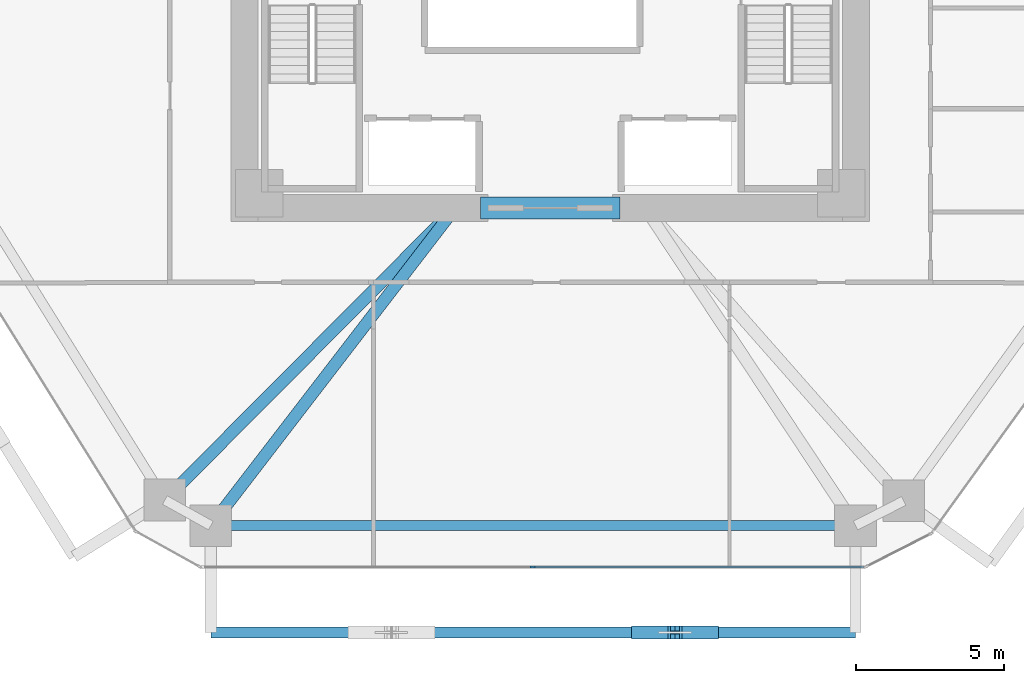
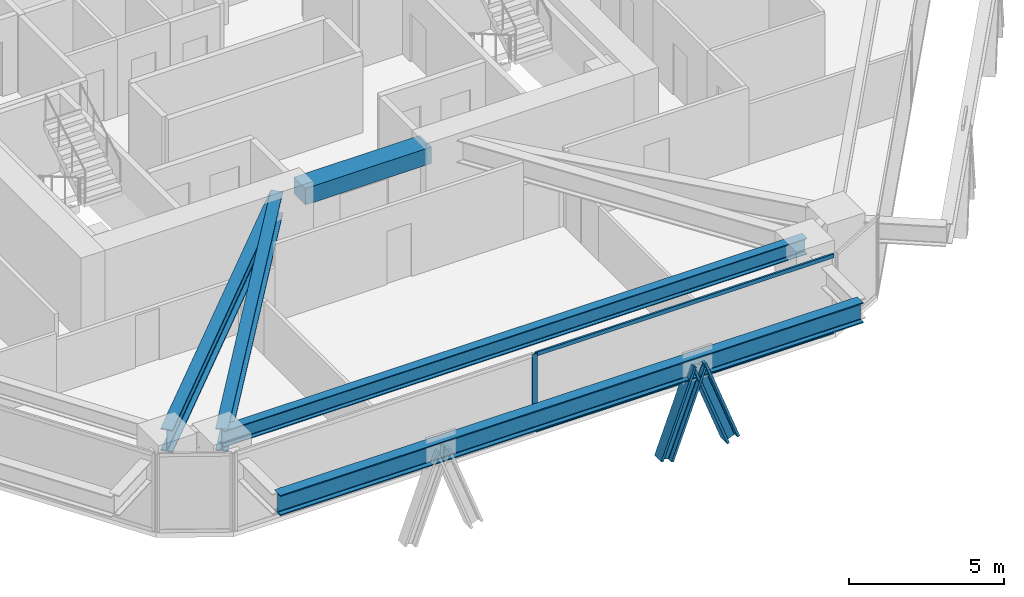
# One storey, part 3 of 16: 5 beams, 5 members, 1 element without a shape of its own.
"""IFC4 building model written with IfcOpenShell, lengths in metres."""

import ifcopenshell
import ifcopenshell.guid

model = None  # the IFC model being written
_history = None  # IfcOwnerHistory: only IFC2X3 demands one
_inside = {}  # id of a spatial element -> (the spatial element, [elements in it])
_under = {}  # id of a project, library or spatial element -> (it, [spatial elements below it])
_declared = {}  # id of a project -> (the project, [libraries it declares])
_typed = {}  # id of a type object -> (the type object, [elements of that type])
_made_of = {}  # id of a material, layer set ... -> (it, [elements and type objects made of it])


def new_model(schema):
    """Start an empty IFC model of exactly this schema.

    Asked for "IFC4X3", IfcOpenShell would pick the latest addendum, in which some entities
    have other attributes; the version numbers below select the first issue.
    IFC2X3 requires an IfcOwnerHistory on every rooted entity: one is made here for all.
    """
    global model, _history
    if schema == "IFC4X3":
        model = ifcopenshell.file(schema_version=(4, 3, 0, 0))
    else:
        model = ifcopenshell.file(schema=schema)
    _inside.clear()
    _under.clear()
    _declared.clear()
    _typed.clear()
    _made_of.clear()
    _history = None
    if model.schema == "IFC2X3":
        org = make("IfcOrganization", Name="unknown")
        user = make(
            "IfcPersonAndOrganization",
            ThePerson=make("IfcPerson", FamilyName="unknown"),
            TheOrganization=org,
        )
        app = make(
            "IfcApplication",
            ApplicationDeveloper=org,
            Version="unknown",
            ApplicationFullName="unknown",
            ApplicationIdentifier="unknown",
        )
        _history = make(
            "IfcOwnerHistory",
            OwningUser=user,
            OwningApplication=app,
            ChangeAction="ADDED",
            CreationDate=0,
        )
    return model


def make(cls, **values):
    """One entity of the class cls with the attributes given. An attribute that is None is left unset."""
    return model.create_entity(
        cls, **{name: value for name, value in values.items() if value is not None}
    )


def rooted(cls, **values):
    """An entity with a GlobalId (a new one), such as an element, a storey or a relation."""
    return make(cls, GlobalId=ifcopenshell.guid.new(), OwnerHistory=_history, **values)


def si_unit(unit_type, name, prefix=None):
    """IfcSIUnit, for example si_unit("LENGTHUNIT", "METRE", prefix="MILLI")."""
    return make("IfcSIUnit", UnitType=unit_type, Prefix=prefix, Name=name)


def assignment(units):
    """IfcUnitAssignment: the units of a project."""
    return None if units is None else make("IfcUnitAssignment", Units=units)


def point(xyz):
    """IfcCartesianPoint."""
    return None if xyz is None else make("IfcCartesianPoint", Coordinates=xyz)


def direction(xyz):
    """IfcDirection."""
    return None if xyz is None else make("IfcDirection", DirectionRatios=xyz)


def frame(location, z_axis=None, x_axis=None):
    """IfcAxis2Placement3D, a coordinate frame: its origin and axes. An axis left out is left unset."""
    return make(
        "IfcAxis2Placement3D",
        Location=point(location),
        Axis=direction(z_axis),
        RefDirection=direction(x_axis),
    )


def frame_2d(location, x_axis=None):
    """IfcAxis2Placement2D, a coordinate frame in the plane: its origin and x axis."""
    return make(
        "IfcAxis2Placement2D", Location=point(location), RefDirection=direction(x_axis)
    )


def origin():
    """The frame at (0, 0, 0) with its axes left unset."""
    return frame((0.0, 0.0, 0.0))


def origin_2d():
    """The frame at (0, 0) in the plane with its x axis left unset."""
    return frame_2d((0.0, 0.0))


def place(relative_to, where):
    """IfcLocalPlacement: puts the frame where relative to a parent placement (None: the world)."""
    return make(
        "IfcLocalPlacement", PlacementRelTo=relative_to, RelativePlacement=where
    )


def context(
    kind, dimensions, precision=None, world=None, true_north=None, identifier=None
):
    """IfcGeometricRepresentationContext, for example the 3D "Model" context."""
    return make(
        "IfcGeometricRepresentationContext",
        ContextIdentifier=identifier,
        ContextType=kind,
        CoordinateSpaceDimension=dimensions,
        Precision=precision,
        WorldCoordinateSystem=world,
        TrueNorth=true_north,
    )


def subcontext(parent, identifier, kind, view, scale=None):
    """IfcGeometricRepresentationSubContext, for example "Body" below "Model"."""
    return make(
        "IfcGeometricRepresentationSubContext",
        ContextIdentifier=identifier,
        ContextType=kind,
        ParentContext=parent,
        TargetScale=scale,
        TargetView=view,
    )


def project(units=None, contexts=None):
    """IfcProject with its units and contexts."""
    return rooted(
        "IfcProject",
        Name="project",
        RepresentationContexts=contexts,
        UnitsInContext=assignment(units),
    )


def spatial(cls, under=None, at=None, **own):
    """A site, building, storey or space (cls), placed at a placement, below another one or the project."""
    s = rooted(cls, ObjectPlacement=at, **own)
    if under is not None:
        _under.setdefault(under.id(), (under, []))[1].append(s)
    return s


def profile(cls, at=None, kind="AREA", **sizes):
    """A parametric profile (cls). Its sizes go by their IFC names, for example OverallWidth=200.0."""
    return make(cls, ProfileType=kind, Position=at, **sizes)


def rectangle(**sizes):
    """IfcRectangleProfileDef."""
    return profile("IfcRectangleProfileDef", **sizes)


def i_section(**sizes):
    """IfcIShapeProfileDef."""
    return profile("IfcIShapeProfileDef", **sizes)


def extrude(swept, where, along, depth):
    """IfcExtrudedAreaSolid: the profile swept, set in the frame where, extruded along a direction by depth."""
    return make(
        "IfcExtrudedAreaSolid",
        SweptArea=swept,
        Position=where,
        ExtrudedDirection=direction(along),
        Depth=depth,
    )


def shape(context_of_items, identifier, shape_type, items):
    """IfcShapeRepresentation: the items that make up one representation, for example the "Body"."""
    return make(
        "IfcShapeRepresentation",
        ContextOfItems=context_of_items,
        RepresentationIdentifier=identifier,
        RepresentationType=shape_type,
        Items=items,
    )


def source(mapping_origin, context_of_items, identifier, shape_type, items):
    """IfcRepresentationMap: a shape defined once, which mapped items show again and again."""
    return make(
        "IfcRepresentationMap",
        MappingOrigin=mapping_origin,
        MappedRepresentation=shape(context_of_items, identifier, shape_type, items),
    )


def transform(
    local_origin,
    x_axis=None,
    y_axis=None,
    z_axis=None,
    scale=None,
    scale2=None,
    scale3=None,
    uniform=True,
):
    """IfcCartesianTransformationOperator3D, or its non-uniform kind. x_axis, y_axis, z_axis: its Axis1, 2, 3."""
    if uniform:
        return make(
            "IfcCartesianTransformationOperator3D",
            Axis1=direction(x_axis),
            Axis2=direction(y_axis),
            LocalOrigin=point(local_origin),
            Scale=scale,
            Axis3=direction(z_axis),
        )
    return make(
        "IfcCartesianTransformationOperator3DnonUniform",
        Axis1=direction(x_axis),
        Axis2=direction(y_axis),
        LocalOrigin=point(local_origin),
        Scale=scale,
        Axis3=direction(z_axis),
        Scale2=scale2,
        Scale3=scale3,
    )


def mapped(mapping_source, mapping_target):
    """IfcMappedItem: shows the shape of a source again, moved by a transform."""
    return make(
        "IfcMappedItem", MappingSource=mapping_source, MappingTarget=mapping_target
    )


def material(Name=None, Category=None):
    """IfcMaterial."""
    return make("IfcMaterial", Name=Name, Category=Category)


def layer(
    of_material, thickness, ventilated=None, Name=None, Category=None, Priority=None
):
    """IfcMaterialLayer: one layer of a wall or slab, of a material (None: an air gap)."""
    return make(
        "IfcMaterialLayer",
        Material=of_material,
        LayerThickness=thickness,
        IsVentilated=ventilated,
        Name=Name,
        Category=Category,
        Priority=Priority,
    )


def layer_set(layers, Name=None):
    """IfcMaterialLayerSet."""
    return make("IfcMaterialLayerSet", MaterialLayers=layers, LayerSetName=Name)


def material_profile(
    of_material, cross_section, Name=None, Category=None, Priority=None
):
    """IfcMaterialProfile: a cross section and its material."""
    return make(
        "IfcMaterialProfile",
        Name=Name,
        Material=of_material,
        Profile=cross_section,
        Priority=Priority,
        Category=Category,
    )


def profile_set(profiles, Name=None, composite=None):
    """IfcMaterialProfileSet."""
    return make(
        "IfcMaterialProfileSet",
        Name=Name,
        MaterialProfiles=profiles,
        CompositeProfile=composite,
    )


def made_of(thing, what):
    """Note that an element or type object is made of a material, layer set ...; save() writes the relation."""
    if what is not None:
        _made_of.setdefault(what.id(), (what, []))[1].append(thing)
    return thing


def type_object(cls, material=None, **own):
    """A type object (cls), such as IfcWallType, which elements share."""
    return made_of(rooted(cls, **own), material)


def type_shapes(of_type, sources):
    """Give a type object the sources (RepresentationMaps) that its elements show as mapped items."""
    of_type.RepresentationMaps = sources


def element(
    cls,
    number,
    at=None,
    inside=None,
    cuts=None,
    type_object=None,
    material=None,
    context=None,
    identifier="Body",
    shape_type=None,
    held_by="IfcProductDefinitionShape",
    body=None,
    shapes=None,
    **own,
):
    """One element of the class cls, such as IfcWall. Its Tag is "e" and its number.

    at: its placement. inside: the storey or other place that contains it. cuts: it is an
    opening in that element (IfcRelVoidsElement). A single representation is given by context,
    identifier, shape_type and body (its items); several are given by shapes. held_by: the class
    of the entity that holds the representations. save() writes the other relations.
    """
    e = rooted(cls, Tag="e%d" % number, ObjectPlacement=at, **own)
    if body is not None:
        shapes = [shape(context, identifier, shape_type, body)]
    if shapes is not None:
        e.Representation = make(held_by, Representations=shapes)
    if inside is not None:
        _inside.setdefault(inside.id(), (inside, []))[1].append(e)
    if cuts is not None:
        rooted(
            "IfcRelVoidsElement", RelatingBuildingElement=cuts, RelatedOpeningElement=e
        )
    if type_object is not None:
        _typed.setdefault(type_object.id(), (type_object, []))[1].append(e)
    return made_of(e, material)


def aggregate(whole, parts):
    """IfcRelAggregates: a whole, such as a stair, and the parts it consists of."""
    return rooted("IfcRelAggregates", RelatingObject=whole, RelatedObjects=parts)


def save(model, path):
    """Write the relations noted so far, then the file.

    IfcRelAggregates (storeys below a building ...), IfcRelContainedInSpatialStructure (elements
    in a storey), IfcRelDefinesByType, IfcRelAssociatesMaterial and IfcRelDeclares: one each for
    every whole, place, type object, material and project.
    """
    for whole, parts in _under.values():
        aggregate(whole, parts)
    for where, things in _inside.values():
        rooted(
            "IfcRelContainedInSpatialStructure",
            RelatedElements=things,
            RelatingStructure=where,
        )
    for kind, things in _typed.values():
        rooted("IfcRelDefinesByType", RelatedObjects=things, RelatingType=kind)
    for what, things in _made_of.values():
        rooted("IfcRelAssociatesMaterial", RelatedObjects=things, RelatingMaterial=what)
    for by, libraries in _declared.values():
        rooted("IfcRelDeclares", RelatingContext=by, RelatedDefinitions=libraries)
    model.write(path)


model = new_model("IFC4")

# Units and contexts
model_context = context("Model", 3, precision=1e-05, world=origin(), true_north=direction((0.0, 1.0)))
body_context = subcontext(model_context, "Body", "Model", "MODEL_VIEW")
ifc_project = project(units=[si_unit("LENGTHUNIT", "METRE"), si_unit("AREAUNIT", "SQUARE_METRE"), si_unit("VOLUMEUNIT", "CUBIC_METRE"), si_unit("PLANEANGLEUNIT", "RADIAN"), si_unit("MASSUNIT", "GRAM", prefix="KILO")], contexts=[model_context])

# Site, building, storey
site_placement = place(None, origin())
site = spatial("IfcSite", under=ifc_project, at=site_placement, CompositionType="ELEMENT")
building_placement = place(site_placement, origin())
building = spatial("IfcBuilding", under=site, at=building_placement, Name="Durnholm Broadcast Tower", CompositionType="ELEMENT")
storey_placement = place(building_placement, frame((0.0, 0.0, 65.39990234375)))
storey = spatial("IfcBuildingStorey", under=building, at=storey_placement, Name="L16", CompositionType="ELEMENT", Elevation=65.39990234375)

# Beams
ifc_material_1 = material(Name="Concrete C70/85", Category="concrete")
ifc_material_profile_1 = material_profile(ifc_material_1, rectangle(XDim=0.75, YDim=0.64990234375, at=origin_2d()), Name="RC750X650")
ifc_profile_set_1 = profile_set([ifc_material_profile_1], Name="Concrete C70/85")
beam_type_1 = type_object("IfcBeamType", Name="BM-CB-RC650", PredefinedType="LINTEL", material=ifc_profile_set_1)
shared_shape_1 = source(origin(), body_context, "Body", "SweptSolid", [
    extrude(rectangle(XDim=0.75, YDim=0.64990234375, at=origin_2d()), origin(), (0.0, 0.0, 1.0), 4.7001953125),
])
type_shapes(beam_type_1, [shared_shape_1])
beam_1_placement = place(storey_placement, frame((-2.35009765625, -8.300048828125, 2.72998046875), z_axis=(1.0, 0.0, 0.0), x_axis=(0.0, 1.0, 0.0)))
element("IfcBeam", 1, at=beam_1_placement, inside=storey, type_object=beam_type_1, Name="L16 south core coupling lintel beam CB-S", PredefinedType="LINTEL", context=body_context, shape_type="MappedRepresentation", body=[
    mapped(shared_shape_1, transform((0.0, 0.0, 0.0), x_axis=(1.0, 0.0, 0.0), y_axis=(0.0, 1.0, 0.0), z_axis=(0.0, 0.0, 1.0), scale=1.0)),
])
ifc_material_2 = material(Name="Steel ASTM A992 Grade 50", Category="steel")
ifc_material_profile_2 = material_profile(ifc_material_2, i_section(OverallWidth=0.3291015625, OverallDepth=0.635009765625, WebThickness=0.017822265625, FlangeThickness=0.031005859375, FilletRadius=0.02783203125, at=origin_2d()), Name="W24X162")
ifc_profile_set_2 = profile_set([ifc_material_profile_2], Name="Steel ASTM A992 Grade 50")
beam_type_2 = type_object("IfcBeamType", Name="STL-SP-W24X162", PredefinedType="SPANDREL", material=ifc_profile_set_2)
shared_shape_2 = source(origin(), body_context, "Body", "SweptSolid", [
    extrude(i_section(OverallWidth=0.3291015625, OverallDepth=0.635009765625, WebThickness=0.017822265625, FlangeThickness=0.031005859375, FilletRadius=0.02783203125, at=origin_2d()), origin(), (0.0, 0.0, 1.0), 21.7138671875),
])
type_shapes(beam_type_2, [shared_shape_2])
beam_2_placement = place(storey_placement, frame((10.28271484375, -19.0, 2.7275390625), z_axis=(-1.0, 0.0, 0.0), x_axis=(0.0, -1.0, 0.0)))
element("IfcBeam", 2, at=beam_2_placement, inside=storey, type_object=beam_type_2, Name="L16 perimeter spandrel girder 11", PredefinedType="SPANDREL", context=body_context, shape_type="MappedRepresentation", body=[
    mapped(shared_shape_2, transform((0.0, 0.0, 0.0), x_axis=(1.0, 0.0, 0.0), y_axis=(0.0, 1.0, 0.0), z_axis=(0.0, 0.0, 1.0), scale=1.0)),
])
ifc_material_profile_3 = material_profile(ifc_material_2, i_section(OverallWidth=0.404052734375, OverallDepth=0.885009765625, WebThickness=0.0244140625, FlangeThickness=0.0439453125, FilletRadius=0.03564453125, at=origin_2d()), Name="W33X291")
ifc_profile_set_3 = profile_set([ifc_material_profile_3], Name="Steel ASTM A992 Grade 50")
beam_type_3 = type_object("IfcBeamType", Name="STL-GR-W33X291", PredefinedType="USERDEFINED", material=ifc_profile_set_3)
shared_shape_3 = source(origin(), body_context, "Body", "SweptSolid", [
    extrude(i_section(OverallWidth=0.404052734375, OverallDepth=0.885009765625, WebThickness=0.0244140625, FlangeThickness=0.0439453125, FilletRadius=0.03564453125, at=origin_2d()), origin(), (0.0, 0.0, 1.0), 13.874267578125),
])
beam_3_placement = place(storey_placement, frame((-3.199951171875, -8.300048828125, 2.6025390625), z_axis=(-0.705097917174, -0.709109954237, 0.0), x_axis=(0.709109954237, -0.705097917174, 0.0)))
element("IfcBeam", 3, at=beam_3_placement, inside=storey, type_object=beam_type_3, Name="L16 radial primary floor girder 01", ObjectType="GIRDER", PredefinedType="USERDEFINED", context=body_context, shape_type="MappedRepresentation", body=[
    mapped(shared_shape_3, transform((0.0, 0.0, 0.0), x_axis=(1.0, 0.0, 0.0), y_axis=(0.0, 1.0, 0.0), z_axis=(0.0, 0.0, 1.0), scale=1.0)),
])
shared_shape_4 = source(origin(), body_context, "Body", "SweptSolid", [
    extrude(i_section(OverallWidth=0.404052734375, OverallDepth=0.885009765625, WebThickness=0.0244140625, FlangeThickness=0.0439453125, FilletRadius=0.03564453125, at=origin_2d()), origin(), (0.0, 0.0, 1.0), 13.499755859375),
])
type_shapes(beam_type_3, [shared_shape_3, shared_shape_4])
beam_4_placement = place(storey_placement, frame((-3.199951171875, -8.300048828125, 2.6025390625), z_axis=(-0.609732610412, -0.79260718127, 0.0), x_axis=(0.79260718127, -0.609732610412, 0.0)))
element("IfcBeam", 4, at=beam_4_placement, inside=storey, type_object=beam_type_3, Name="L16 radial primary floor girder 12", ObjectType="GIRDER", PredefinedType="USERDEFINED", context=body_context, shape_type="MappedRepresentation", body=[
    mapped(shared_shape_4, transform((0.0, 0.0, 0.0), x_axis=(1.0, 0.0, 0.0), y_axis=(0.0, 1.0, 0.0), z_axis=(0.0, 0.0, 1.0), scale=1.0)),
])
ifc_material_profile_4 = material_profile(ifc_material_2, i_section(OverallWidth=0.385009765625, OverallDepth=0.802978515625, WebThickness=0.023681640625, FlangeThickness=0.0419921875, FilletRadius=0.032958984375, at=origin_2d()), Name="W30X261")
ifc_profile_set_4 = profile_set([ifc_material_profile_4], Name="Steel ASTM A992 Grade 50")
beam_type_4 = type_object("IfcBeamType", Name="BM-EXO-TIE", PredefinedType="USERDEFINED", material=ifc_profile_set_4)
shared_shape_5 = source(origin(), body_context, "Body", "SweptSolid", [
    extrude(i_section(OverallWidth=0.385009765625, OverallDepth=0.802978515625, WebThickness=0.023681640625, FlangeThickness=0.0419921875, FilletRadius=0.032958984375, at=origin_2d()), origin(), (0.0, 0.0, 1.0), 21.7138671875),
])
type_shapes(beam_type_4, [shared_shape_5])
beam_5_placement = place(storey_placement, frame((-11.43115234375, -22.60009765625, 2.30859375), z_axis=(1.0, 0.0, 0.0), x_axis=(0.0, 1.0, 0.0)))
element("IfcBeam", 5, at=beam_5_placement, inside=storey, type_object=beam_type_4, Name="L16 exoskeleton collector spandrel F1", PredefinedType="SPANDREL", context=body_context, shape_type="MappedRepresentation", body=[
    mapped(shared_shape_5, transform((0.0, 0.0, 0.0), x_axis=(1.0, 0.0, 0.0), y_axis=(0.0, 1.0, 0.0), z_axis=(0.0, 0.0, 1.0), scale=1.0)),
])

# Members
ifc_material_3 = material(Name="Steel ASTM A913 Grade 65", Category="steel")
ifc_material_profile_5 = material_profile(ifc_material_3, i_section(OverallWidth=0.43212890625, OverallDepth=0.497802734375, WebThickness=0.0556640625, FlangeThickness=0.0888671875, FilletRadius=0.030517578125, at=origin_2d()), Name="W14X500")
ifc_profile_set_5 = profile_set([ifc_material_profile_5], Name="Steel ASTM A913 Grade 65")
member_type_1 = type_object("IfcMemberType", Name="STL-DG-W14X500", PredefinedType="BRACE", material=ifc_profile_set_5)
shared_shape_6 = source(origin(), body_context, "Body", "SweptSolid", [
    extrude(i_section(OverallWidth=0.43212890625, OverallDepth=0.497802734375, WebThickness=0.0556640625, FlangeThickness=0.0888671875, FilletRadius=0.030517578125, at=origin_2d()), origin(), (0.0, 0.0, 1.0), 3.52294921875),
])
type_shapes(member_type_1, [shared_shape_6])
for number, where, z_axis, x_axis, name in (
    (6, (2.968994140625, -22.60009765625, -0.9912109375), (0.350242321485, 0.0, 0.93665912489), (0.0, 1.0, 0.0), "L16 stand-off diagrid brace F1.D2.1"),
    (7, (5.436767578125, -22.60009765625, -0.9912109375), (-0.350242321485, 0.0, 0.93665912489), (0.0, -1.0, 0.0), "L16 stand-off diagrid brace F1.D2.2"),
):
    element("IfcMember", number, at=place(storey_placement, frame(where, z_axis=z_axis, x_axis=x_axis)), inside=storey, type_object=member_type_1, Name=name, PredefinedType="BRACE", context=body_context, shape_type="MappedRepresentation", body=[
        mapped(shared_shape_6, transform((0.0, 0.0, 0.0), x_axis=(1.0, 0.0, 0.0), y_axis=(0.0, 1.0, 0.0), z_axis=(0.0, 0.0, 1.0), scale=1.0)),
    ])

# Curtain wall, members
ifc_material_4 = material(Name="Aluminium and Solar Control IGU", Category="aluminium")
ifc_layer = layer(ifc_material_4, 0.18994140625)
ifc_layer_set = layer_set([ifc_layer], Name="Aluminium and Solar Control IGU")
curtain_wall_type = type_object("IfcCurtainWallType", Name="CW-SYS-3", PredefinedType="NOTDEFINED", material=ifc_layer_set)
curtain_wall_placement = place(storey_placement, origin())
curtain_wall = element("IfcCurtainWall", 8, at=curtain_wall_placement, inside=storey, type_object=curtain_wall_type, Name="L16 curtain wall CW-Z12-VIS CW-L16-F10", PredefinedType="NOTDEFINED")
ifc_material_5 = material(Name="Aluminium 6063-T6", Category="aluminium")
ifc_material_profile_6 = material_profile(ifc_material_5, rectangle(XDim=0.070068359375, YDim=0.18994140625, at=origin_2d()), Name="CWM70X190")
ifc_profile_set_6 = profile_set([ifc_material_profile_6], Name="Aluminium 6063-T6")
member_type_2 = type_object("IfcMemberType", Name="CW-SYS-3-MUL", PredefinedType="MULLION", material=ifc_profile_set_6)
shared_shape_7 = source(origin(), body_context, "Body", "SweptSolid", [
    extrude(rectangle(XDim=0.070068359375, YDim=0.18994140625, at=origin_2d()), origin(), (0.0, 0.0, 1.0), 3.06005859375),
])
type_shapes(member_type_2, [shared_shape_7])
member_1_placement = place(storey_placement, frame((-0.5869140625, -20.39990234375, 0.0), z_axis=(0.0, 0.0, 1.0), x_axis=(0.0, -1.0, 0.0)))
member_1 = element("IfcMember", 9, at=member_1_placement, type_object=member_type_2, Name="CW-Z12-VIS mullion 2", PredefinedType="MULLION", context=body_context, shape_type="MappedRepresentation", body=[
    mapped(shared_shape_7, transform((0.0, 0.0, 0.0), x_axis=(1.0, 0.0, 0.0), y_axis=(0.0, 1.0, 0.0), z_axis=(0.0, 0.0, 1.0), scale=1.0)),
])
ifc_material_profile_7 = material_profile(ifc_material_5, rectangle(XDim=0.070068359375, YDim=0.14990234375, at=origin_2d()), Name="CWT70X150")
ifc_profile_set_7 = profile_set([ifc_material_profile_7], Name="Aluminium 6063-T6")
member_type_3 = type_object("IfcMemberType", Name="CW-SYS-3-TRN", PredefinedType="USERDEFINED", material=ifc_profile_set_7)
shared_shape_8 = source(origin(), body_context, "Body", "SweptSolid", [
    extrude(rectangle(XDim=0.070068359375, YDim=0.14990234375, at=origin_2d()), origin(), (0.0, 0.0, 1.0), 11.10205078125),
])
type_shapes(member_type_3, [shared_shape_8])
member_2_placement = place(storey_placement, frame((10.55029296875, -20.39990234375, 0.03515625), z_axis=(-1.0, 0.0, 0.0), x_axis=(0.0, -1.0, 0.0)))
member_2 = element("IfcMember", 10, at=member_2_placement, type_object=member_type_3, Name="CW-Z12-VIS transom 1.1", ObjectType="TRANSOM", PredefinedType="USERDEFINED", context=body_context, shape_type="MappedRepresentation", body=[
    mapped(shared_shape_8, transform((0.0, 0.0, 0.0), x_axis=(1.0, 0.0, 0.0), y_axis=(0.0, 1.0, 0.0), z_axis=(0.0, 0.0, 1.0), scale=1.0)),
])
member_3_placement = place(storey_placement, frame((10.55029296875, -20.39990234375, 3.025146484375), z_axis=(-1.0, 0.0, 0.0), x_axis=(0.0, -1.0, 0.0)))
member_3 = element("IfcMember", 11, at=member_3_placement, type_object=member_type_3, Name="CW-Z12-VIS transom 1.2", ObjectType="TRANSOM", PredefinedType="USERDEFINED", context=body_context, shape_type="MappedRepresentation", body=[
    mapped(shared_shape_8, transform((0.0, 0.0, 0.0), x_axis=(1.0, 0.0, 0.0), y_axis=(0.0, 1.0, 0.0), z_axis=(0.0, 0.0, 1.0), scale=1.0)),
])
aggregate(curtain_wall, [member_1, member_2, member_3])

save(model, "model.ifc")
